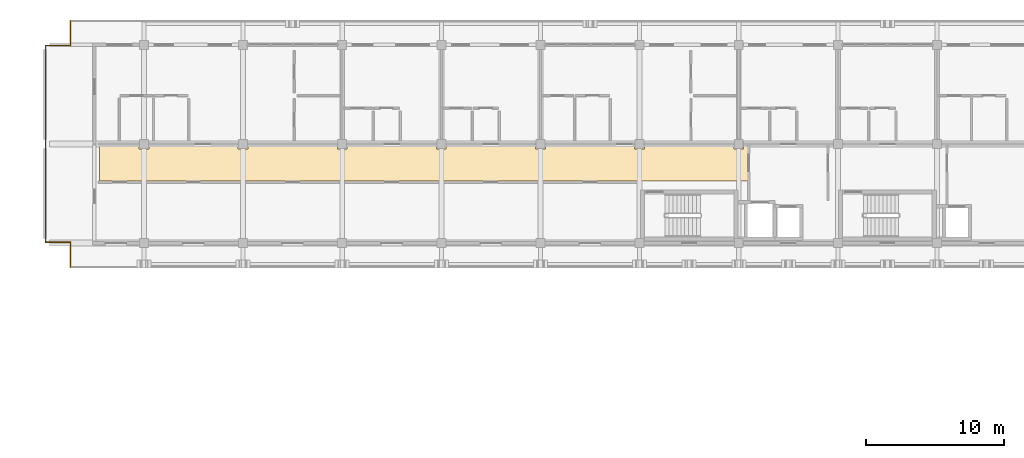
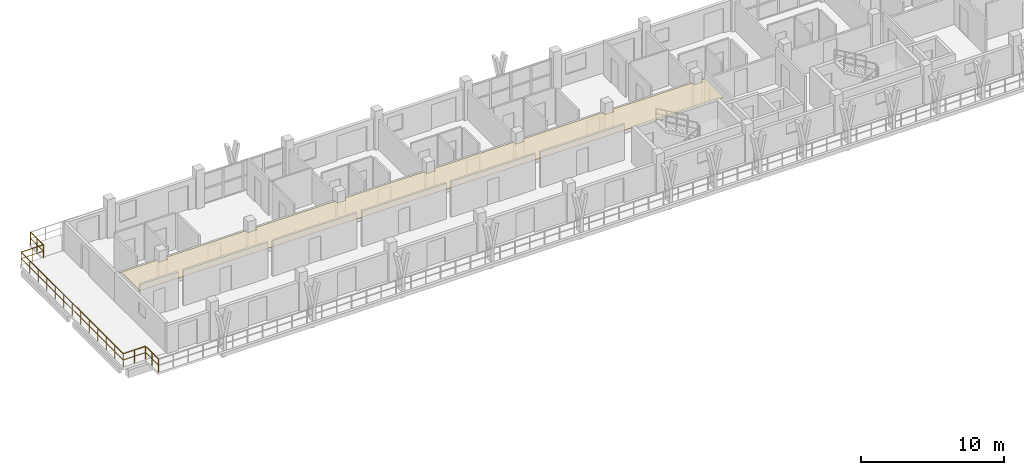
# One storey, part 64 of 75: 5 railings, 1 covering.
"""IFC4 building model written with IfcOpenShell, lengths in metres."""

from ifc_helpers import new_model, si_unit, direction, frame, origin, origin_2d, place, context, subcontext, project, spatial, polyline, rectangle, outline, extrude, material, layer, layer_set, type_object, element, save


model = new_model("IFC4")

# Units and contexts
model_context = context("Model", 3, precision=1e-05, world=origin(), true_north=direction((0.0, 1.0)))
body_context = subcontext(model_context, "Body", "Model", "MODEL_VIEW")
ifc_project = project(units=[si_unit("LENGTHUNIT", "METRE"), si_unit("AREAUNIT", "SQUARE_METRE"), si_unit("VOLUMEUNIT", "CUBIC_METRE"), si_unit("PLANEANGLEUNIT", "RADIAN"), si_unit("MASSUNIT", "GRAM", prefix="KILO")], contexts=[model_context])

# Site, building, storey
site_placement = place(None, origin())
site = spatial("IfcSite", under=ifc_project, at=site_placement, CompositionType="ELEMENT")
building_placement = place(site_placement, origin())
building = spatial("IfcBuilding", under=site, at=building_placement, Name="Suanplinth Sawtooth Commons", CompositionType="ELEMENT")
storey_placement = place(building_placement, frame((0.0, 0.0, 18.60009765625)))
storey = spatial("IfcBuildingStorey", under=building, at=storey_placement, Name="L05", CompositionType="ELEMENT", Elevation=18.60009765625)

# Covering
ifc_material_1 = material(Name="Mineral fibre acoustic tile")
ifc_layer = layer(ifc_material_1, 0.0400390625, Name="Perforated mineral-fibre acoustic suspended ceiling")
ifc_layer_set = layer_set([ifc_layer], Name="Mineral fibre acoustic tile")
covering_type = type_object("IfcCoveringType", Name="CV-CE01", PredefinedType="CEILING", material=ifc_layer_set)
covering_placement = place(storey_placement, frame((0.0, 0.0, 2.3798828125)))
element("IfcCovering", 1, at=covering_placement, inside=storey, type_object=covering_type, Name="L05 Block A Corridor Acoustic Ceiling", PredefinedType="CEILING", context=body_context, shape_type="SweptSolid", body=[
    extrude(outline(polyline([(3.9599609375, 112.5), (3.9599609375, 115.1201171875), (6.844970703125, 115.1201171875), (6.844970703125, 114.844970703125), (7.554931640625, 114.844970703125), (7.554931640625, 115.1201171875), (14.044921875, 115.1201171875), (14.044921875, 114.844970703125), (14.7548828125, 114.844970703125), (14.7548828125, 115.1201171875), (21.2451171875, 115.1201171875), (21.2451171875, 114.844970703125), (21.955078125, 114.844970703125), (21.955078125, 115.1201171875), (28.445068359375, 115.1201171875), (28.445068359375, 114.844970703125), (29.155029296875, 114.844970703125), (29.155029296875, 115.1201171875), (35.64501953125, 115.1201171875), (35.64501953125, 114.844970703125), (36.35498046875, 114.844970703125), (36.35498046875, 115.1201171875), (42.844970703125, 115.1201171875), (42.844970703125, 114.844970703125), (43.554931640625, 114.844970703125), (43.554931640625, 115.1201171875), (50.044921875, 115.1201171875), (50.044921875, 114.844970703125), (50.7548828125, 114.844970703125), (50.7548828125, 115.1201171875), (51.080078125, 115.1201171875), (51.080078125, 112.5), (3.9599609375, 112.5)])), origin(), (0.0, 0.0, 1.0), 0.0400390625),
])

# Railings
ifc_material_2 = material(Name="Powder-coated galvanized steel", Category="steel")
railing_type = type_object("IfcRailingType", Name="GR-01", PredefinedType="BALUSTRADE", material=ifc_material_2)
railing_1_placement = place(storey_placement, frame((1.860107421875, 108.06005859375, 0.0)))
element("IfcRailing", 2, at=railing_1_placement, inside=storey, type_object=railing_type, Name="L05 Block A Perimeter Balustrade 1", PredefinedType="BALUSTRADE", context=body_context, shape_type="SweptSolid", body=[
    extrude(rectangle(XDim=0.048095703125, YDim=0.048095703125, at=origin_2d()), frame((0.0, 0.0, 1.09619140625), z_axis=(-1.0, 0.0, 0.0), x_axis=(0.0, -1.0, 0.0)), (0.0, 0.0, 1.0), 1.800048828125),
    extrude(rectangle(XDim=0.03369140625, YDim=0.03369140625, at=origin_2d()), frame((0.0, 0.0, 0.56005859375), z_axis=(-1.0, 0.0, 0.0), x_axis=(0.0, -1.0, 0.0)), (0.0, 0.0, 1.0), 1.800048828125),
    extrude(rectangle(XDim=0.0419921875, YDim=0.0419921875, at=origin_2d()), origin(), (0.0, 0.0, 1.0), 1.072021484375),
    extrude(rectangle(XDim=0.0419921875, YDim=0.0419921875, at=origin_2d()), frame((-0.89990234375, 0.0, 0.0)), (0.0, 0.0, 1.0), 1.072021484375),
    extrude(rectangle(XDim=0.0419921875, YDim=0.0419921875, at=origin_2d()), frame((-1.800048828125, 0.0, 0.0)), (0.0, 0.0, 1.0), 1.072021484375),
])
railing_2_placement = place(storey_placement, frame((0.06005859375, 108.06005859375, 0.0)))
element("IfcRailing", 3, at=railing_2_placement, inside=storey, type_object=railing_type, Name="L05 Block A Perimeter Balustrade 2", PredefinedType="BALUSTRADE", context=body_context, shape_type="SweptSolid", body=[
    extrude(rectangle(XDim=0.048095703125, YDim=0.048095703125, at=origin_2d()), frame((0.0, 0.0, 1.09619140625), z_axis=(0.0, 1.0, 0.0), x_axis=(-1.0, 0.0, 0.0)), (0.0, 0.0, 1.0), 14.280029296875),
    extrude(rectangle(XDim=0.03369140625, YDim=0.03369140625, at=origin_2d()), frame((0.0, 0.0, 0.56005859375), z_axis=(0.0, 1.0, 0.0), x_axis=(-1.0, 0.0, 0.0)), (0.0, 0.0, 1.0), 14.280029296875),
    extrude(rectangle(XDim=0.0419921875, YDim=0.0419921875, at=origin_2d()), origin(), (0.0, 0.0, 1.0), 1.072021484375),
    extrude(rectangle(XDim=0.0419921875, YDim=0.0419921875, at=origin_2d()), frame((0.0, 1.18994140625, 0.0)), (0.0, 0.0, 1.0), 1.072021484375),
    extrude(rectangle(XDim=0.0419921875, YDim=0.0419921875, at=origin_2d()), frame((0.0, 2.3798828125, 0.0)), (0.0, 0.0, 1.0), 1.072021484375),
    extrude(rectangle(XDim=0.0419921875, YDim=0.0419921875, at=origin_2d()), frame((0.0, 3.570068359375, 0.0)), (0.0, 0.0, 1.0), 1.072021484375),
    extrude(rectangle(XDim=0.0419921875, YDim=0.0419921875, at=origin_2d()), frame((0.0, 4.760009765625, 0.0)), (0.0, 0.0, 1.0), 1.072021484375),
    extrude(rectangle(XDim=0.0419921875, YDim=0.0419921875, at=origin_2d()), frame((0.0, 5.949951171875, 0.0)), (0.0, 0.0, 1.0), 1.072021484375),
    extrude(rectangle(XDim=0.0419921875, YDim=0.0419921875, at=origin_2d()), frame((0.0, 7.14013671875, 0.0)), (0.0, 0.0, 1.0), 1.072021484375),
    extrude(rectangle(XDim=0.0419921875, YDim=0.0419921875, at=origin_2d()), frame((0.0, 8.330078125, 0.0)), (0.0, 0.0, 1.0), 1.072021484375),
    extrude(rectangle(XDim=0.0419921875, YDim=0.0419921875, at=origin_2d()), frame((0.0, 9.52001953125, 0.0)), (0.0, 0.0, 1.0), 1.072021484375),
    extrude(rectangle(XDim=0.0419921875, YDim=0.0419921875, at=origin_2d()), frame((0.0, 10.7099609375, 0.0)), (0.0, 0.0, 1.0), 1.072021484375),
    extrude(rectangle(XDim=0.0419921875, YDim=0.0419921875, at=origin_2d()), frame((0.0, 11.89990234375, 0.0)), (0.0, 0.0, 1.0), 1.072021484375),
    extrude(rectangle(XDim=0.0419921875, YDim=0.0419921875, at=origin_2d()), frame((0.0, 13.090087890625, 0.0)), (0.0, 0.0, 1.0), 1.072021484375),
    extrude(rectangle(XDim=0.0419921875, YDim=0.0419921875, at=origin_2d()), frame((0.0, 14.280029296875, 0.0)), (0.0, 0.0, 1.0), 1.072021484375),
])
railing_3_placement = place(storey_placement, frame((0.06005859375, 122.340087890625, 0.0)))
element("IfcRailing", 4, at=railing_3_placement, inside=storey, type_object=railing_type, Name="L05 Block A Perimeter Balustrade 3", PredefinedType="BALUSTRADE", context=body_context, shape_type="SweptSolid", body=[
    extrude(rectangle(XDim=0.048095703125, YDim=0.048095703125, at=origin_2d()), frame((0.0, 0.0, 1.09619140625), z_axis=(1.0, 0.0, 0.0), x_axis=(0.0, 1.0, 0.0)), (0.0, 0.0, 1.0), 1.800048828125),
    extrude(rectangle(XDim=0.03369140625, YDim=0.03369140625, at=origin_2d()), frame((0.0, 0.0, 0.56005859375), z_axis=(1.0, 0.0, 0.0), x_axis=(0.0, 1.0, 0.0)), (0.0, 0.0, 1.0), 1.800048828125),
    extrude(rectangle(XDim=0.0419921875, YDim=0.0419921875, at=origin_2d()), origin(), (0.0, 0.0, 1.0), 1.072021484375),
    extrude(rectangle(XDim=0.0419921875, YDim=0.0419921875, at=origin_2d()), frame((0.89990234375, 0.0, 0.0)), (0.0, 0.0, 1.0), 1.072021484375),
    extrude(rectangle(XDim=0.0419921875, YDim=0.0419921875, at=origin_2d()), frame((1.800048828125, 0.0, 0.0)), (0.0, 0.0, 1.0), 1.072021484375),
])
railing_4_placement = place(storey_placement, frame((1.860107421875, 122.340087890625, 0.0)))
element("IfcRailing", 5, at=railing_4_placement, inside=storey, type_object=railing_type, Name="L05 Block A Perimeter Balustrade 4", PredefinedType="BALUSTRADE", context=body_context, shape_type="SweptSolid", body=[
    extrude(rectangle(XDim=0.048095703125, YDim=0.048095703125, at=origin_2d()), frame((0.0, 0.0, 1.09619140625), z_axis=(0.0, 1.0, 0.0), x_axis=(-1.0, 0.0, 0.0)), (0.0, 0.0, 1.0), 1.7998046875),
    extrude(rectangle(XDim=0.03369140625, YDim=0.03369140625, at=origin_2d()), frame((0.0, 0.0, 0.56005859375), z_axis=(0.0, 1.0, 0.0), x_axis=(-1.0, 0.0, 0.0)), (0.0, 0.0, 1.0), 1.7998046875),
    extrude(rectangle(XDim=0.0419921875, YDim=0.0419921875, at=origin_2d()), origin(), (0.0, 0.0, 1.0), 1.072021484375),
    extrude(rectangle(XDim=0.0419921875, YDim=0.0419921875, at=origin_2d()), frame((0.0, 0.89990234375, 0.0)), (0.0, 0.0, 1.0), 1.072021484375),
    extrude(rectangle(XDim=0.0419921875, YDim=0.0419921875, at=origin_2d()), frame((0.0, 1.7998046875, 0.0)), (0.0, 0.0, 1.0), 1.072021484375),
])
railing_5_placement = place(storey_placement, frame((1.860107421875, 106.260009765625, 0.0)))
element("IfcRailing", 6, at=railing_5_placement, inside=storey, type_object=railing_type, Name="L05 Block A Perimeter Balustrade 12", PredefinedType="BALUSTRADE", context=body_context, shape_type="SweptSolid", body=[
    extrude(rectangle(XDim=0.048095703125, YDim=0.048095703125, at=origin_2d()), frame((0.0, 0.0, 1.09619140625), z_axis=(0.0, 1.0, 0.0), x_axis=(-1.0, 0.0, 0.0)), (0.0, 0.0, 1.0), 1.800048828125),
    extrude(rectangle(XDim=0.03369140625, YDim=0.03369140625, at=origin_2d()), frame((0.0, 0.0, 0.56005859375), z_axis=(0.0, 1.0, 0.0), x_axis=(-1.0, 0.0, 0.0)), (0.0, 0.0, 1.0), 1.800048828125),
    extrude(rectangle(XDim=0.0419921875, YDim=0.0419921875, at=origin_2d()), origin(), (0.0, 0.0, 1.0), 1.072021484375),
    extrude(rectangle(XDim=0.0419921875, YDim=0.0419921875, at=origin_2d()), frame((0.0, 0.89990234375, 0.0)), (0.0, 0.0, 1.0), 1.072021484375),
    extrude(rectangle(XDim=0.0419921875, YDim=0.0419921875, at=origin_2d()), frame((0.0, 1.800048828125, 0.0)), (0.0, 0.0, 1.0), 1.072021484375),
])

save(model, "model.ifc")
